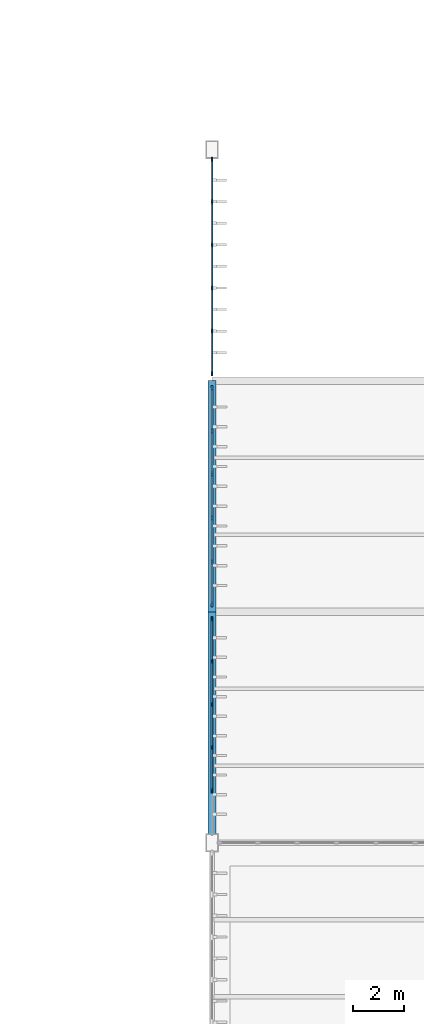
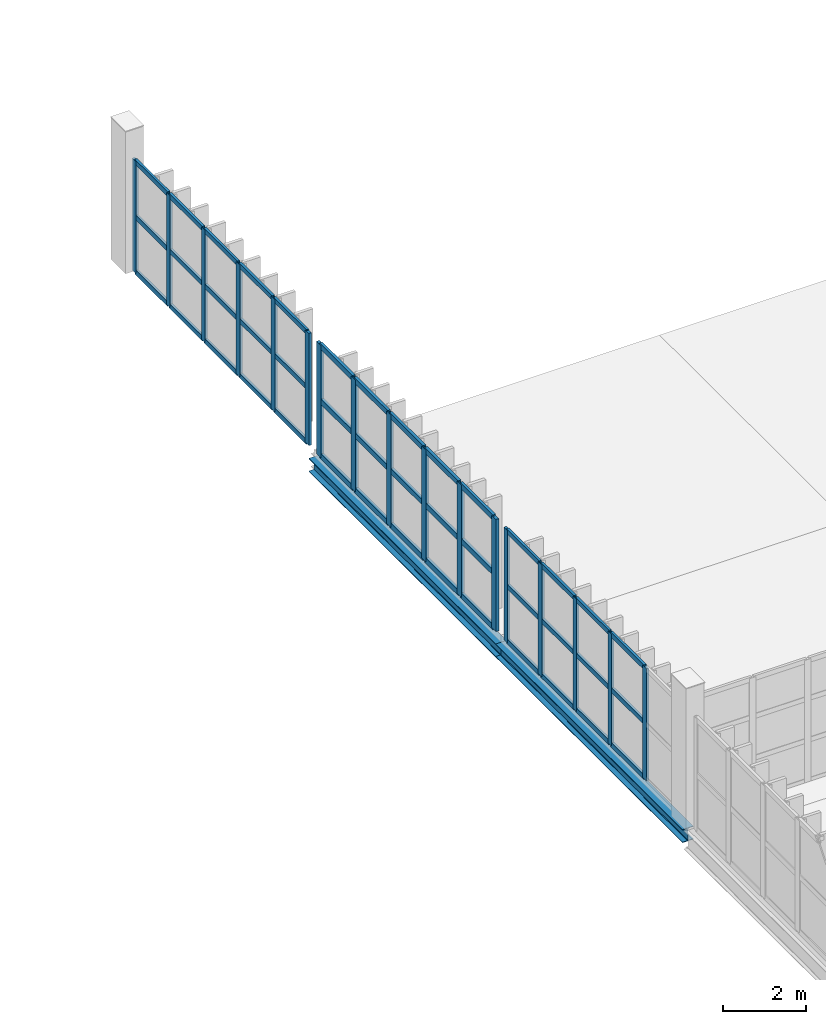
# One storey, part 29 of 82: 59 members, 2 beams, 3 elements without a shape of their own.
"""IFC4 building model written with IfcOpenShell, lengths in metres."""

from ifc_helpers import new_model, si_unit, direction, frame, origin, origin_2d, place, context, subcontext, project, spatial, rectangle, i_section, extrude, material, layer, layer_set, material_profile, profile_set, type_object, element, aggregate, save


model = new_model("IFC4")

# Units and contexts
model_context = context("Model", 3, precision=1e-05, world=origin(), true_north=direction((0.0, 1.0)))
body_context = subcontext(model_context, "Body", "Model", "MODEL_VIEW")
ifc_project = project(units=[si_unit("LENGTHUNIT", "METRE"), si_unit("AREAUNIT", "SQUARE_METRE"), si_unit("VOLUMEUNIT", "CUBIC_METRE"), si_unit("PLANEANGLEUNIT", "RADIAN"), si_unit("MASSUNIT", "GRAM", prefix="KILO")], contexts=[model_context])

# Site, building, storey
site_placement = place(None, origin())
site = spatial("IfcSite", under=ifc_project, at=site_placement, CompositionType="ELEMENT")
building_placement = place(site_placement, origin())
building = spatial("IfcBuilding", under=site, at=building_placement, Name="Zarnetskaya Central Station", CompositionType="ELEMENT")
storey_placement = place(building_placement, frame((0.0, 0.0, 10.199951171875)))
storey = spatial("IfcBuildingStorey", under=building, at=storey_placement, Name="L02", CompositionType="ELEMENT", Elevation=10.199951171875)

# Curtain wall, members
ifc_material_1 = material(Name="Low-E insulated glass", Category="glass")
ifc_layer = layer(ifc_material_1, 0.16796875, Name="Low-E insulated glass", Category="glass")
ifc_layer_set = layer_set([ifc_layer], Name="Low-E insulated glass")
curtain_wall_type = type_object("IfcCurtainWallType", Name="CW-SYS-18", PredefinedType="USERDEFINED", material=ifc_layer_set)
curtain_wall_1_placement = place(storey_placement, origin())
curtain_wall_1 = element("IfcCurtainWall", 1, at=curtain_wall_1_placement, inside=storey, type_object=curtain_wall_type, Name="Curtain wall CW-L02-093", ObjectType="CURTAIN WALL", PredefinedType="USERDEFINED")
ifc_material_2 = material(Name="Anodised aluminium", Category="aluminium")
ifc_material_profile_1 = material_profile(ifc_material_2, rectangle(XDim=0.070068359375, YDim=0.179931640625, at=origin_2d()), Name="ALU MULL 70x180")
ifc_profile_set_1 = profile_set([ifc_material_profile_1], Name="Anodised aluminium")
member_type_1 = type_object("IfcMemberType", Name="CW-MULL-180", PredefinedType="MULLION", material=ifc_profile_set_1)
member_1_placement = place(storey_placement, frame((124.800048828125, 39.9150390625, 0.0), z_axis=(0.0, 0.0, 1.0), x_axis=(1.0, 0.0, 0.0)))
member_1 = element("IfcMember", 2, at=member_1_placement, type_object=member_type_1, Name="CW-10 mullion 1", PredefinedType="MULLION", context=body_context, shape_type="SweptSolid", body=[
    extrude(rectangle(XDim=0.070068359375, YDim=0.179931640625, at=origin_2d()), origin(), (0.0, 0.0, 1.0), 3.300048828125),
])
member_2_placement = place(storey_placement, frame((124.800048828125, 38.27001953125, 0.0), z_axis=(0.0, 0.0, 1.0), x_axis=(1.0, 0.0, 0.0)))
member_2 = element("IfcMember", 3, at=member_2_placement, type_object=member_type_1, Name="CW-10 mullion 2", PredefinedType="MULLION", context=body_context, shape_type="SweptSolid", body=[
    extrude(rectangle(XDim=0.070068359375, YDim=0.179931640625, at=origin_2d()), origin(), (0.0, 0.0, 1.0), 3.300048828125),
])
member_3_placement = place(storey_placement, frame((124.800048828125, 36.590087890625, 0.0), z_axis=(0.0, 0.0, 1.0), x_axis=(1.0, 0.0, 0.0)))
member_3 = element("IfcMember", 4, at=member_3_placement, type_object=member_type_1, Name="CW-10 mullion 3", PredefinedType="MULLION", context=body_context, shape_type="SweptSolid", body=[
    extrude(rectangle(XDim=0.070068359375, YDim=0.179931640625, at=origin_2d()), origin(), (0.0, 0.0, 1.0), 3.300048828125),
])
member_4_placement = place(storey_placement, frame((124.800048828125, 34.909912109375, 0.0), z_axis=(0.0, 0.0, 1.0), x_axis=(1.0, 0.0, 0.0)))
member_4 = element("IfcMember", 5, at=member_4_placement, type_object=member_type_1, Name="CW-10 mullion 4", PredefinedType="MULLION", context=body_context, shape_type="SweptSolid", body=[
    extrude(rectangle(XDim=0.070068359375, YDim=0.179931640625, at=origin_2d()), origin(), (0.0, 0.0, 1.0), 3.300048828125),
])
member_5_placement = place(storey_placement, frame((124.800048828125, 33.22998046875, 0.0), z_axis=(0.0, 0.0, 1.0), x_axis=(1.0, 0.0, 0.0)))
member_5 = element("IfcMember", 6, at=member_5_placement, type_object=member_type_1, Name="CW-10 mullion 5", PredefinedType="MULLION", context=body_context, shape_type="SweptSolid", body=[
    extrude(rectangle(XDim=0.070068359375, YDim=0.179931640625, at=origin_2d()), origin(), (0.0, 0.0, 1.0), 3.300048828125),
])

curtain_wall_2_placement = place(storey_placement, origin())
curtain_wall_2 = element("IfcCurtainWall", 7, at=curtain_wall_2_placement, inside=storey, type_object=curtain_wall_type, Name="Curtain wall CW-L02-099", ObjectType="CURTAIN WALL", PredefinedType="USERDEFINED")
member_6_placement = place(storey_placement, frame((124.800048828125, 57.81494140625, 0.0), z_axis=(0.0, 0.0, 1.0), x_axis=(1.0, 0.0, 0.0)))
member_6 = element("IfcMember", 8, at=member_6_placement, type_object=member_type_1, Name="CW-10 mullion 1", PredefinedType="MULLION", context=body_context, shape_type="SweptSolid", body=[
    extrude(rectangle(XDim=0.070068359375, YDim=0.179931640625, at=origin_2d()), origin(), (0.0, 0.0, 1.0), 3.300048828125),
])
member_7_placement = place(storey_placement, frame((124.800048828125, 56.169921875, 0.0), z_axis=(0.0, 0.0, 1.0), x_axis=(1.0, 0.0, 0.0)))
member_7 = element("IfcMember", 9, at=member_7_placement, type_object=member_type_1, Name="CW-10 mullion 2", PredefinedType="MULLION", context=body_context, shape_type="SweptSolid", body=[
    extrude(rectangle(XDim=0.070068359375, YDim=0.179931640625, at=origin_2d()), origin(), (0.0, 0.0, 1.0), 3.300048828125),
])
member_8_placement = place(storey_placement, frame((124.800048828125, 54.489990234375, 0.0), z_axis=(0.0, 0.0, 1.0), x_axis=(1.0, 0.0, 0.0)))
member_8 = element("IfcMember", 10, at=member_8_placement, type_object=member_type_1, Name="CW-10 mullion 3", PredefinedType="MULLION", context=body_context, shape_type="SweptSolid", body=[
    extrude(rectangle(XDim=0.070068359375, YDim=0.179931640625, at=origin_2d()), origin(), (0.0, 0.0, 1.0), 3.300048828125),
])
member_9_placement = place(storey_placement, frame((124.800048828125, 52.81005859375, 0.0), z_axis=(0.0, 0.0, 1.0), x_axis=(1.0, 0.0, 0.0)))
member_9 = element("IfcMember", 11, at=member_9_placement, type_object=member_type_1, Name="CW-10 mullion 4", PredefinedType="MULLION", context=body_context, shape_type="SweptSolid", body=[
    extrude(rectangle(XDim=0.070068359375, YDim=0.179931640625, at=origin_2d()), origin(), (0.0, 0.0, 1.0), 3.300048828125),
])
member_10_placement = place(storey_placement, frame((124.800048828125, 51.1298828125, 0.0), z_axis=(0.0, 0.0, 1.0), x_axis=(1.0, 0.0, 0.0)))
member_10 = element("IfcMember", 12, at=member_10_placement, type_object=member_type_1, Name="CW-10 mullion 5", PredefinedType="MULLION", context=body_context, shape_type="SweptSolid", body=[
    extrude(rectangle(XDim=0.070068359375, YDim=0.179931640625, at=origin_2d()), origin(), (0.0, 0.0, 1.0), 3.300048828125),
])
member_11_placement = place(storey_placement, frame((124.800048828125, 49.485107421875, 0.0), z_axis=(0.0, 0.0, 1.0), x_axis=(1.0, 0.0, 0.0)))
member_11 = element("IfcMember", 13, at=member_11_placement, type_object=member_type_1, Name="CW-10 mullion 6", PredefinedType="MULLION", context=body_context, shape_type="SweptSolid", body=[
    extrude(rectangle(XDim=0.070068359375, YDim=0.179931640625, at=origin_2d()), origin(), (0.0, 0.0, 1.0), 3.300048828125),
])

curtain_wall_3_placement = place(storey_placement, origin())
curtain_wall_3 = element("IfcCurtainWall", 14, at=curtain_wall_3_placement, inside=storey, type_object=curtain_wall_type, Name="Curtain wall CW-L02-096", ObjectType="CURTAIN WALL", PredefinedType="USERDEFINED")
ifc_material_profile_2 = material_profile(ifc_material_2, rectangle(XDim=0.080078125, YDim=0.219970703125, at=origin_2d()), Name="ALU MULL 80x220")
ifc_profile_set_2 = profile_set([ifc_material_profile_2], Name="Anodised aluminium")
member_type_2 = type_object("IfcMemberType", Name="CW-MULL-220", PredefinedType="MULLION", material=ifc_profile_set_2)
member_12_placement = place(storey_placement, frame((124.800048828125, 48.909912109375, 0.0), z_axis=(0.0, 0.0, 1.0), x_axis=(1.0, 0.0, 0.0)))
member_12 = element("IfcMember", 15, at=member_12_placement, type_object=member_type_2, Name="CW-10 mullion 1", PredefinedType="MULLION", context=body_context, shape_type="SweptSolid", body=[
    extrude(rectangle(XDim=0.080078125, YDim=0.219970703125, at=origin_2d()), origin(), (0.0, 0.0, 1.0), 3.300048828125),
])
member_13_placement = place(storey_placement, frame((124.800048828125, 47.25, 0.0), z_axis=(0.0, 0.0, 1.0), x_axis=(1.0, 0.0, 0.0)))
member_13 = element("IfcMember", 16, at=member_13_placement, type_object=member_type_2, Name="CW-10 mullion 2", PredefinedType="MULLION", context=body_context, shape_type="SweptSolid", body=[
    extrude(rectangle(XDim=0.080078125, YDim=0.219970703125, at=origin_2d()), origin(), (0.0, 0.0, 1.0), 3.300048828125),
])
member_14_placement = place(storey_placement, frame((124.800048828125, 45.550048828125, 0.0), z_axis=(0.0, 0.0, 1.0), x_axis=(1.0, 0.0, 0.0)))
member_14 = element("IfcMember", 17, at=member_14_placement, type_object=member_type_2, Name="CW-10 mullion 3", PredefinedType="MULLION", context=body_context, shape_type="SweptSolid", body=[
    extrude(rectangle(XDim=0.080078125, YDim=0.219970703125, at=origin_2d()), origin(), (0.0, 0.0, 1.0), 3.300048828125),
])
member_15_placement = place(storey_placement, frame((124.800048828125, 43.85009765625, 0.0), z_axis=(0.0, 0.0, 1.0), x_axis=(1.0, 0.0, 0.0)))
member_15 = element("IfcMember", 18, at=member_15_placement, type_object=member_type_2, Name="CW-10 mullion 4", PredefinedType="MULLION", context=body_context, shape_type="SweptSolid", body=[
    extrude(rectangle(XDim=0.080078125, YDim=0.219970703125, at=origin_2d()), origin(), (0.0, 0.0, 1.0), 3.300048828125),
])
member_16_placement = place(storey_placement, frame((124.800048828125, 42.14990234375, 0.0), z_axis=(0.0, 0.0, 1.0), x_axis=(1.0, 0.0, 0.0)))
member_16 = element("IfcMember", 19, at=member_16_placement, type_object=member_type_2, Name="CW-10 mullion 5", PredefinedType="MULLION", context=body_context, shape_type="SweptSolid", body=[
    extrude(rectangle(XDim=0.080078125, YDim=0.219970703125, at=origin_2d()), origin(), (0.0, 0.0, 1.0), 3.300048828125),
])
member_17_placement = place(storey_placement, frame((124.800048828125, 40.489990234375, 0.0), z_axis=(0.0, 0.0, 1.0), x_axis=(1.0, 0.0, 0.0)))
member_17 = element("IfcMember", 20, at=member_17_placement, type_object=member_type_2, Name="CW-10 mullion 6", PredefinedType="MULLION", context=body_context, shape_type="SweptSolid", body=[
    extrude(rectangle(XDim=0.080078125, YDim=0.219970703125, at=origin_2d()), origin(), (0.0, 0.0, 1.0), 3.300048828125),
])

# Member
ifc_material_profile_3 = material_profile(ifc_material_2, rectangle(XDim=0.070068359375, YDim=0.139892578125, at=origin_2d()), Name="ALU TRAN 70x140")
ifc_profile_set_3 = profile_set([ifc_material_profile_3], Name="Anodised aluminium")
member_type_3 = type_object("IfcMemberType", Name="CW-TRAN-140", PredefinedType="USERDEFINED", material=ifc_profile_set_3)
member_18_placement = place(storey_placement, frame((124.800048828125, 39.8798828125, 0.03515625), z_axis=(0.0, -1.0, 0.0), x_axis=(1.0, 0.0, 0.0)))
member_18 = element("IfcMember", 21, at=member_18_placement, type_object=member_type_3, Name="CW-10 transom 1.1", ObjectType="TRANSOM", PredefinedType="USERDEFINED", context=body_context, shape_type="SweptSolid", body=[
    extrude(rectangle(XDim=0.070068359375, YDim=0.139892578125, at=origin_2d()), origin(), (0.0, 0.0, 1.0), 1.574951171875),
])

member_19_placement = place(storey_placement, frame((124.800048828125, 39.8798828125, 1.650146484375), z_axis=(0.0, -1.0, 0.0), x_axis=(1.0, 0.0, 0.0)))
member_19 = element("IfcMember", 22, at=member_19_placement, type_object=member_type_3, Name="CW-10 transom 1.2", ObjectType="TRANSOM", PredefinedType="USERDEFINED", context=body_context, shape_type="SweptSolid", body=[
    extrude(rectangle(XDim=0.070068359375, YDim=0.139892578125, at=origin_2d()), origin(), (0.0, 0.0, 1.0), 1.574951171875),
])

member_20_placement = place(storey_placement, frame((124.800048828125, 39.8798828125, 3.26513671875), z_axis=(0.0, -1.0, 0.0), x_axis=(1.0, 0.0, 0.0)))
member_20 = element("IfcMember", 23, at=member_20_placement, type_object=member_type_3, Name="CW-10 transom 1.3", ObjectType="TRANSOM", PredefinedType="USERDEFINED", context=body_context, shape_type="SweptSolid", body=[
    extrude(rectangle(XDim=0.070068359375, YDim=0.139892578125, at=origin_2d()), origin(), (0.0, 0.0, 1.0), 1.574951171875),
])

member_21_placement = place(storey_placement, frame((124.800048828125, 38.235107421875, 0.03515625), z_axis=(0.0, -1.0, 0.0), x_axis=(1.0, 0.0, 0.0)))
member_21 = element("IfcMember", 24, at=member_21_placement, type_object=member_type_3, Name="CW-10 transom 2.1", ObjectType="TRANSOM", PredefinedType="USERDEFINED", context=body_context, shape_type="SweptSolid", body=[
    extrude(rectangle(XDim=0.070068359375, YDim=0.139892578125, at=origin_2d()), origin(), (0.0, 0.0, 1.0), 1.610107421875),
])

member_22_placement = place(storey_placement, frame((124.800048828125, 38.235107421875, 1.650146484375), z_axis=(0.0, -1.0, 0.0), x_axis=(1.0, 0.0, 0.0)))
member_22 = element("IfcMember", 25, at=member_22_placement, type_object=member_type_3, Name="CW-10 transom 2.2", ObjectType="TRANSOM", PredefinedType="USERDEFINED", context=body_context, shape_type="SweptSolid", body=[
    extrude(rectangle(XDim=0.070068359375, YDim=0.139892578125, at=origin_2d()), origin(), (0.0, 0.0, 1.0), 1.610107421875),
])

member_23_placement = place(storey_placement, frame((124.800048828125, 38.235107421875, 3.26513671875), z_axis=(0.0, -1.0, 0.0), x_axis=(1.0, 0.0, 0.0)))
member_23 = element("IfcMember", 26, at=member_23_placement, type_object=member_type_3, Name="CW-10 transom 2.3", ObjectType="TRANSOM", PredefinedType="USERDEFINED", context=body_context, shape_type="SweptSolid", body=[
    extrude(rectangle(XDim=0.070068359375, YDim=0.139892578125, at=origin_2d()), origin(), (0.0, 0.0, 1.0), 1.610107421875),
])

member_24_placement = place(storey_placement, frame((124.800048828125, 36.554931640625, 0.03515625), z_axis=(0.0, -1.0, 0.0), x_axis=(1.0, 0.0, 0.0)))
member_24 = element("IfcMember", 27, at=member_24_placement, type_object=member_type_3, Name="CW-10 transom 3.1", ObjectType="TRANSOM", PredefinedType="USERDEFINED", context=body_context, shape_type="SweptSolid", body=[
    extrude(rectangle(XDim=0.070068359375, YDim=0.139892578125, at=origin_2d()), origin(), (0.0, 0.0, 1.0), 1.60986328125),
])

member_25_placement = place(storey_placement, frame((124.800048828125, 36.554931640625, 1.650146484375), z_axis=(0.0, -1.0, 0.0), x_axis=(1.0, 0.0, 0.0)))
member_25 = element("IfcMember", 28, at=member_25_placement, type_object=member_type_3, Name="CW-10 transom 3.2", ObjectType="TRANSOM", PredefinedType="USERDEFINED", context=body_context, shape_type="SweptSolid", body=[
    extrude(rectangle(XDim=0.070068359375, YDim=0.139892578125, at=origin_2d()), origin(), (0.0, 0.0, 1.0), 1.60986328125),
])

member_26_placement = place(storey_placement, frame((124.800048828125, 36.554931640625, 3.26513671875), z_axis=(0.0, -1.0, 0.0), x_axis=(1.0, 0.0, 0.0)))
member_26 = element("IfcMember", 29, at=member_26_placement, type_object=member_type_3, Name="CW-10 transom 3.3", ObjectType="TRANSOM", PredefinedType="USERDEFINED", context=body_context, shape_type="SweptSolid", body=[
    extrude(rectangle(XDim=0.070068359375, YDim=0.139892578125, at=origin_2d()), origin(), (0.0, 0.0, 1.0), 1.60986328125),
])

member_27_placement = place(storey_placement, frame((124.800048828125, 34.875, 0.03515625), z_axis=(0.0, -1.0, 0.0), x_axis=(1.0, 0.0, 0.0)))
member_27 = element("IfcMember", 30, at=member_27_placement, type_object=member_type_3, Name="CW-10 transom 4.1", ObjectType="TRANSOM", PredefinedType="USERDEFINED", context=body_context, shape_type="SweptSolid", body=[
    extrude(rectangle(XDim=0.070068359375, YDim=0.139892578125, at=origin_2d()), origin(), (0.0, 0.0, 1.0), 1.610107421875),
])

member_28_placement = place(storey_placement, frame((124.800048828125, 34.875, 1.650146484375), z_axis=(0.0, -1.0, 0.0), x_axis=(1.0, 0.0, 0.0)))
member_28 = element("IfcMember", 31, at=member_28_placement, type_object=member_type_3, Name="CW-10 transom 4.2", ObjectType="TRANSOM", PredefinedType="USERDEFINED", context=body_context, shape_type="SweptSolid", body=[
    extrude(rectangle(XDim=0.070068359375, YDim=0.139892578125, at=origin_2d()), origin(), (0.0, 0.0, 1.0), 1.610107421875),
])

member_29_placement = place(storey_placement, frame((124.800048828125, 34.875, 3.26513671875), z_axis=(0.0, -1.0, 0.0), x_axis=(1.0, 0.0, 0.0)))
member_29 = element("IfcMember", 32, at=member_29_placement, type_object=member_type_3, Name="CW-10 transom 4.3", ObjectType="TRANSOM", PredefinedType="USERDEFINED", context=body_context, shape_type="SweptSolid", body=[
    extrude(rectangle(XDim=0.070068359375, YDim=0.139892578125, at=origin_2d()), origin(), (0.0, 0.0, 1.0), 1.610107421875),
])

aggregate(curtain_wall_1, [member_1, member_2, member_3, member_4, member_5, member_18, member_19, member_20, member_21, member_22, member_23, member_24, member_25, member_26, member_27, member_28, member_29])

member_30_placement = place(storey_placement, frame((124.800048828125, 57.780029296875, 0.03515625), z_axis=(0.0, -1.0, 0.0), x_axis=(1.0, 0.0, 0.0)))
member_30 = element("IfcMember", 33, at=member_30_placement, type_object=member_type_3, Name="CW-10 transom 1.1", ObjectType="TRANSOM", PredefinedType="USERDEFINED", context=body_context, shape_type="SweptSolid", body=[
    extrude(rectangle(XDim=0.070068359375, YDim=0.139892578125, at=origin_2d()), origin(), (0.0, 0.0, 1.0), 1.574951171875),
])

member_31_placement = place(storey_placement, frame((124.800048828125, 57.780029296875, 1.650146484375), z_axis=(0.0, -1.0, 0.0), x_axis=(1.0, 0.0, 0.0)))
member_31 = element("IfcMember", 34, at=member_31_placement, type_object=member_type_3, Name="CW-10 transom 1.2", ObjectType="TRANSOM", PredefinedType="USERDEFINED", context=body_context, shape_type="SweptSolid", body=[
    extrude(rectangle(XDim=0.070068359375, YDim=0.139892578125, at=origin_2d()), origin(), (0.0, 0.0, 1.0), 1.574951171875),
])

member_32_placement = place(storey_placement, frame((124.800048828125, 57.780029296875, 3.26513671875), z_axis=(0.0, -1.0, 0.0), x_axis=(1.0, 0.0, 0.0)))
member_32 = element("IfcMember", 35, at=member_32_placement, type_object=member_type_3, Name="CW-10 transom 1.3", ObjectType="TRANSOM", PredefinedType="USERDEFINED", context=body_context, shape_type="SweptSolid", body=[
    extrude(rectangle(XDim=0.070068359375, YDim=0.139892578125, at=origin_2d()), origin(), (0.0, 0.0, 1.0), 1.574951171875),
])

member_33_placement = place(storey_placement, frame((124.800048828125, 56.135009765625, 0.03515625), z_axis=(0.0, -1.0, 0.0), x_axis=(1.0, 0.0, 0.0)))
member_33 = element("IfcMember", 36, at=member_33_placement, type_object=member_type_3, Name="CW-10 transom 2.1", ObjectType="TRANSOM", PredefinedType="USERDEFINED", context=body_context, shape_type="SweptSolid", body=[
    extrude(rectangle(XDim=0.070068359375, YDim=0.139892578125, at=origin_2d()), origin(), (0.0, 0.0, 1.0), 1.610107421875),
])

member_34_placement = place(storey_placement, frame((124.800048828125, 56.135009765625, 1.650146484375), z_axis=(0.0, -1.0, 0.0), x_axis=(1.0, 0.0, 0.0)))
member_34 = element("IfcMember", 37, at=member_34_placement, type_object=member_type_3, Name="CW-10 transom 2.2", ObjectType="TRANSOM", PredefinedType="USERDEFINED", context=body_context, shape_type="SweptSolid", body=[
    extrude(rectangle(XDim=0.070068359375, YDim=0.139892578125, at=origin_2d()), origin(), (0.0, 0.0, 1.0), 1.610107421875),
])

member_35_placement = place(storey_placement, frame((124.800048828125, 56.135009765625, 3.26513671875), z_axis=(0.0, -1.0, 0.0), x_axis=(1.0, 0.0, 0.0)))
member_35 = element("IfcMember", 38, at=member_35_placement, type_object=member_type_3, Name="CW-10 transom 2.3", ObjectType="TRANSOM", PredefinedType="USERDEFINED", context=body_context, shape_type="SweptSolid", body=[
    extrude(rectangle(XDim=0.070068359375, YDim=0.139892578125, at=origin_2d()), origin(), (0.0, 0.0, 1.0), 1.610107421875),
])

member_36_placement = place(storey_placement, frame((124.800048828125, 54.455078125, 0.03515625), z_axis=(0.0, -1.0, 0.0), x_axis=(1.0, 0.0, 0.0)))
member_36 = element("IfcMember", 39, at=member_36_placement, type_object=member_type_3, Name="CW-10 transom 3.1", ObjectType="TRANSOM", PredefinedType="USERDEFINED", context=body_context, shape_type="SweptSolid", body=[
    extrude(rectangle(XDim=0.070068359375, YDim=0.139892578125, at=origin_2d()), origin(), (0.0, 0.0, 1.0), 1.610107421875),
])

member_37_placement = place(storey_placement, frame((124.800048828125, 54.455078125, 1.650146484375), z_axis=(0.0, -1.0, 0.0), x_axis=(1.0, 0.0, 0.0)))
member_37 = element("IfcMember", 40, at=member_37_placement, type_object=member_type_3, Name="CW-10 transom 3.2", ObjectType="TRANSOM", PredefinedType="USERDEFINED", context=body_context, shape_type="SweptSolid", body=[
    extrude(rectangle(XDim=0.070068359375, YDim=0.139892578125, at=origin_2d()), origin(), (0.0, 0.0, 1.0), 1.610107421875),
])

member_38_placement = place(storey_placement, frame((124.800048828125, 54.455078125, 3.26513671875), z_axis=(0.0, -1.0, 0.0), x_axis=(1.0, 0.0, 0.0)))
member_38 = element("IfcMember", 41, at=member_38_placement, type_object=member_type_3, Name="CW-10 transom 3.3", ObjectType="TRANSOM", PredefinedType="USERDEFINED", context=body_context, shape_type="SweptSolid", body=[
    extrude(rectangle(XDim=0.070068359375, YDim=0.139892578125, at=origin_2d()), origin(), (0.0, 0.0, 1.0), 1.610107421875),
])

member_39_placement = place(storey_placement, frame((124.800048828125, 52.77490234375, 0.03515625), z_axis=(0.0, -1.0, 0.0), x_axis=(1.0, 0.0, 0.0)))
member_39 = element("IfcMember", 42, at=member_39_placement, type_object=member_type_3, Name="CW-10 transom 4.1", ObjectType="TRANSOM", PredefinedType="USERDEFINED", context=body_context, shape_type="SweptSolid", body=[
    extrude(rectangle(XDim=0.070068359375, YDim=0.139892578125, at=origin_2d()), origin(), (0.0, 0.0, 1.0), 1.60986328125),
])

member_40_placement = place(storey_placement, frame((124.800048828125, 52.77490234375, 1.650146484375), z_axis=(0.0, -1.0, 0.0), x_axis=(1.0, 0.0, 0.0)))
member_40 = element("IfcMember", 43, at=member_40_placement, type_object=member_type_3, Name="CW-10 transom 4.2", ObjectType="TRANSOM", PredefinedType="USERDEFINED", context=body_context, shape_type="SweptSolid", body=[
    extrude(rectangle(XDim=0.070068359375, YDim=0.139892578125, at=origin_2d()), origin(), (0.0, 0.0, 1.0), 1.60986328125),
])

member_41_placement = place(storey_placement, frame((124.800048828125, 52.77490234375, 3.26513671875), z_axis=(0.0, -1.0, 0.0), x_axis=(1.0, 0.0, 0.0)))
member_41 = element("IfcMember", 44, at=member_41_placement, type_object=member_type_3, Name="CW-10 transom 4.3", ObjectType="TRANSOM", PredefinedType="USERDEFINED", context=body_context, shape_type="SweptSolid", body=[
    extrude(rectangle(XDim=0.070068359375, YDim=0.139892578125, at=origin_2d()), origin(), (0.0, 0.0, 1.0), 1.60986328125),
])

member_42_placement = place(storey_placement, frame((124.800048828125, 51.094970703125, 0.03515625), z_axis=(0.0, -1.0, 0.0), x_axis=(1.0, 0.0, 0.0)))
member_42 = element("IfcMember", 45, at=member_42_placement, type_object=member_type_3, Name="CW-10 transom 5.1", ObjectType="TRANSOM", PredefinedType="USERDEFINED", context=body_context, shape_type="SweptSolid", body=[
    extrude(rectangle(XDim=0.070068359375, YDim=0.139892578125, at=origin_2d()), origin(), (0.0, 0.0, 1.0), 1.574951171875),
])

member_43_placement = place(storey_placement, frame((124.800048828125, 51.094970703125, 1.650146484375), z_axis=(0.0, -1.0, 0.0), x_axis=(1.0, 0.0, 0.0)))
member_43 = element("IfcMember", 46, at=member_43_placement, type_object=member_type_3, Name="CW-10 transom 5.2", ObjectType="TRANSOM", PredefinedType="USERDEFINED", context=body_context, shape_type="SweptSolid", body=[
    extrude(rectangle(XDim=0.070068359375, YDim=0.139892578125, at=origin_2d()), origin(), (0.0, 0.0, 1.0), 1.574951171875),
])

member_44_placement = place(storey_placement, frame((124.800048828125, 51.094970703125, 3.26513671875), z_axis=(0.0, -1.0, 0.0), x_axis=(1.0, 0.0, 0.0)))
member_44 = element("IfcMember", 47, at=member_44_placement, type_object=member_type_3, Name="CW-10 transom 5.3", ObjectType="TRANSOM", PredefinedType="USERDEFINED", context=body_context, shape_type="SweptSolid", body=[
    extrude(rectangle(XDim=0.070068359375, YDim=0.139892578125, at=origin_2d()), origin(), (0.0, 0.0, 1.0), 1.574951171875),
])

aggregate(curtain_wall_2, [member_6, member_7, member_8, member_9, member_10, member_11, member_30, member_31, member_32, member_33, member_34, member_35, member_36, member_37, member_38, member_39, member_40, member_41, member_42, member_43, member_44])

ifc_material_profile_4 = material_profile(ifc_material_2, rectangle(XDim=0.080078125, YDim=0.159912109375, at=origin_2d()), Name="ALU TRAN 80x160")
ifc_profile_set_4 = profile_set([ifc_material_profile_4], Name="Anodised aluminium")
member_type_4 = type_object("IfcMemberType", Name="CW-TRAN-160", PredefinedType="USERDEFINED", material=ifc_profile_set_4)
member_45_placement = place(storey_placement, frame((124.800048828125, 48.8701171875, 0.0400390625), z_axis=(0.0, -1.0, 0.0), x_axis=(1.0, 0.0, 0.0)))
member_45 = element("IfcMember", 48, at=member_45_placement, type_object=member_type_4, Name="CW-10 transom 1.1", ObjectType="TRANSOM", PredefinedType="USERDEFINED", context=body_context, shape_type="SweptSolid", body=[
    extrude(rectangle(XDim=0.080078125, YDim=0.159912109375, at=origin_2d()), origin(), (0.0, 0.0, 1.0), 1.580078125),
])

member_46_placement = place(storey_placement, frame((124.800048828125, 48.8701171875, 1.650146484375), z_axis=(0.0, -1.0, 0.0), x_axis=(1.0, 0.0, 0.0)))
member_46 = element("IfcMember", 49, at=member_46_placement, type_object=member_type_4, Name="CW-10 transom 1.2", ObjectType="TRANSOM", PredefinedType="USERDEFINED", context=body_context, shape_type="SweptSolid", body=[
    extrude(rectangle(XDim=0.080078125, YDim=0.159912109375, at=origin_2d()), origin(), (0.0, 0.0, 1.0), 1.580078125),
])

member_47_placement = place(storey_placement, frame((124.800048828125, 48.8701171875, 3.260009765625), z_axis=(0.0, -1.0, 0.0), x_axis=(1.0, 0.0, 0.0)))
member_47 = element("IfcMember", 50, at=member_47_placement, type_object=member_type_4, Name="CW-10 transom 1.3", ObjectType="TRANSOM", PredefinedType="USERDEFINED", context=body_context, shape_type="SweptSolid", body=[
    extrude(rectangle(XDim=0.080078125, YDim=0.159912109375, at=origin_2d()), origin(), (0.0, 0.0, 1.0), 1.580078125),
])

member_48_placement = place(storey_placement, frame((124.800048828125, 47.2099609375, 0.0400390625), z_axis=(0.0, -1.0, 0.0), x_axis=(1.0, 0.0, 0.0)))
member_48 = element("IfcMember", 51, at=member_48_placement, type_object=member_type_4, Name="CW-10 transom 2.1", ObjectType="TRANSOM", PredefinedType="USERDEFINED", context=body_context, shape_type="SweptSolid", body=[
    extrude(rectangle(XDim=0.080078125, YDim=0.159912109375, at=origin_2d()), origin(), (0.0, 0.0, 1.0), 1.619873046875),
])

member_49_placement = place(storey_placement, frame((124.800048828125, 47.2099609375, 1.650146484375), z_axis=(0.0, -1.0, 0.0), x_axis=(1.0, 0.0, 0.0)))
member_49 = element("IfcMember", 52, at=member_49_placement, type_object=member_type_4, Name="CW-10 transom 2.2", ObjectType="TRANSOM", PredefinedType="USERDEFINED", context=body_context, shape_type="SweptSolid", body=[
    extrude(rectangle(XDim=0.080078125, YDim=0.159912109375, at=origin_2d()), origin(), (0.0, 0.0, 1.0), 1.619873046875),
])

member_50_placement = place(storey_placement, frame((124.800048828125, 47.2099609375, 3.260009765625), z_axis=(0.0, -1.0, 0.0), x_axis=(1.0, 0.0, 0.0)))
member_50 = element("IfcMember", 53, at=member_50_placement, type_object=member_type_4, Name="CW-10 transom 2.3", ObjectType="TRANSOM", PredefinedType="USERDEFINED", context=body_context, shape_type="SweptSolid", body=[
    extrude(rectangle(XDim=0.080078125, YDim=0.159912109375, at=origin_2d()), origin(), (0.0, 0.0, 1.0), 1.619873046875),
])

member_51_placement = place(storey_placement, frame((124.800048828125, 45.510009765625, 0.0400390625), z_axis=(0.0, -1.0, 0.0), x_axis=(1.0, 0.0, 0.0)))
member_51 = element("IfcMember", 54, at=member_51_placement, type_object=member_type_4, Name="CW-10 transom 3.1", ObjectType="TRANSOM", PredefinedType="USERDEFINED", context=body_context, shape_type="SweptSolid", body=[
    extrude(rectangle(XDim=0.080078125, YDim=0.159912109375, at=origin_2d()), origin(), (0.0, 0.0, 1.0), 1.6201171875),
])

member_52_placement = place(storey_placement, frame((124.800048828125, 45.510009765625, 1.650146484375), z_axis=(0.0, -1.0, 0.0), x_axis=(1.0, 0.0, 0.0)))
member_52 = element("IfcMember", 55, at=member_52_placement, type_object=member_type_4, Name="CW-10 transom 3.2", ObjectType="TRANSOM", PredefinedType="USERDEFINED", context=body_context, shape_type="SweptSolid", body=[
    extrude(rectangle(XDim=0.080078125, YDim=0.159912109375, at=origin_2d()), origin(), (0.0, 0.0, 1.0), 1.6201171875),
])

member_53_placement = place(storey_placement, frame((124.800048828125, 45.510009765625, 3.260009765625), z_axis=(0.0, -1.0, 0.0), x_axis=(1.0, 0.0, 0.0)))
member_53 = element("IfcMember", 56, at=member_53_placement, type_object=member_type_4, Name="CW-10 transom 3.3", ObjectType="TRANSOM", PredefinedType="USERDEFINED", context=body_context, shape_type="SweptSolid", body=[
    extrude(rectangle(XDim=0.080078125, YDim=0.159912109375, at=origin_2d()), origin(), (0.0, 0.0, 1.0), 1.6201171875),
])

member_54_placement = place(storey_placement, frame((124.800048828125, 43.81005859375, 0.0400390625), z_axis=(0.0, -1.0, 0.0), x_axis=(1.0, 0.0, 0.0)))
member_54 = element("IfcMember", 57, at=member_54_placement, type_object=member_type_4, Name="CW-10 transom 4.1", ObjectType="TRANSOM", PredefinedType="USERDEFINED", context=body_context, shape_type="SweptSolid", body=[
    extrude(rectangle(XDim=0.080078125, YDim=0.159912109375, at=origin_2d()), origin(), (0.0, 0.0, 1.0), 1.6201171875),
])

member_55_placement = place(storey_placement, frame((124.800048828125, 43.81005859375, 1.650146484375), z_axis=(0.0, -1.0, 0.0), x_axis=(1.0, 0.0, 0.0)))
member_55 = element("IfcMember", 58, at=member_55_placement, type_object=member_type_4, Name="CW-10 transom 4.2", ObjectType="TRANSOM", PredefinedType="USERDEFINED", context=body_context, shape_type="SweptSolid", body=[
    extrude(rectangle(XDim=0.080078125, YDim=0.159912109375, at=origin_2d()), origin(), (0.0, 0.0, 1.0), 1.6201171875),
])

member_56_placement = place(storey_placement, frame((124.800048828125, 43.81005859375, 3.260009765625), z_axis=(0.0, -1.0, 0.0), x_axis=(1.0, 0.0, 0.0)))
member_56 = element("IfcMember", 59, at=member_56_placement, type_object=member_type_4, Name="CW-10 transom 4.3", ObjectType="TRANSOM", PredefinedType="USERDEFINED", context=body_context, shape_type="SweptSolid", body=[
    extrude(rectangle(XDim=0.080078125, YDim=0.159912109375, at=origin_2d()), origin(), (0.0, 0.0, 1.0), 1.6201171875),
])

member_57_placement = place(storey_placement, frame((124.800048828125, 42.110107421875, 0.0400390625), z_axis=(0.0, -1.0, 0.0), x_axis=(1.0, 0.0, 0.0)))
member_57 = element("IfcMember", 60, at=member_57_placement, type_object=member_type_4, Name="CW-10 transom 5.1", ObjectType="TRANSOM", PredefinedType="USERDEFINED", context=body_context, shape_type="SweptSolid", body=[
    extrude(rectangle(XDim=0.080078125, YDim=0.159912109375, at=origin_2d()), origin(), (0.0, 0.0, 1.0), 1.580078125),
])

member_58_placement = place(storey_placement, frame((124.800048828125, 42.110107421875, 1.650146484375), z_axis=(0.0, -1.0, 0.0), x_axis=(1.0, 0.0, 0.0)))
member_58 = element("IfcMember", 61, at=member_58_placement, type_object=member_type_4, Name="CW-10 transom 5.2", ObjectType="TRANSOM", PredefinedType="USERDEFINED", context=body_context, shape_type="SweptSolid", body=[
    extrude(rectangle(XDim=0.080078125, YDim=0.159912109375, at=origin_2d()), origin(), (0.0, 0.0, 1.0), 1.580078125),
])

member_59_placement = place(storey_placement, frame((124.800048828125, 42.110107421875, 3.260009765625), z_axis=(0.0, -1.0, 0.0), x_axis=(1.0, 0.0, 0.0)))
member_59 = element("IfcMember", 62, at=member_59_placement, type_object=member_type_4, Name="CW-10 transom 5.3", ObjectType="TRANSOM", PredefinedType="USERDEFINED", context=body_context, shape_type="SweptSolid", body=[
    extrude(rectangle(XDim=0.080078125, YDim=0.159912109375, at=origin_2d()), origin(), (0.0, 0.0, 1.0), 1.580078125),
])

aggregate(curtain_wall_3, [member_12, member_13, member_14, member_15, member_16, member_17, member_45, member_46, member_47, member_48, member_49, member_50, member_51, member_52, member_53, member_54, member_55, member_56, member_57, member_58, member_59])

# Beams
ifc_material_3 = material(Name="Steel S355", Category="steel")
ifc_material_profile_5 = material_profile(ifc_material_3, i_section(OverallWidth=0.300048828125, OverallDepth=0.389892578125, WebThickness=0.010986328125, FlangeThickness=0.01904296875, FilletRadius=0.027099609375, at=origin_2d()), Name="HEA 400")
ifc_profile_set_5 = profile_set([ifc_material_profile_5], Name="Steel S355")
beam_type = type_object("IfcBeamType", Name="GD-ROOF-400", PredefinedType="USERDEFINED", material=ifc_profile_set_5)
for number, where, z_axis, x_axis, name in (
    (63, (124.800048828125, 31.199951171875, -0.405029296875), (0.0, 1.0, 0.0), (-1.0, 0.0, 0.0), "Grid girder GY-L02-P-56"),
    (64, (124.800048828125, 40.199951171875, -0.405029296875), (0.0, 1.0, 0.0), (-1.0, 0.0, 0.0), "Grid girder GY-L02-P-67"),
):
    element("IfcBeam", number, at=place(storey_placement, frame(where, z_axis=z_axis, x_axis=x_axis)), inside=storey, type_object=beam_type, Name=name, ObjectType="GIRDER", PredefinedType="USERDEFINED", context=body_context, shape_type="SweptSolid", body=[
        extrude(i_section(OverallWidth=0.300048828125, OverallDepth=0.389892578125, WebThickness=0.010986328125, FlangeThickness=0.01904296875, FilletRadius=0.027099609375, at=origin_2d()), origin(), (0.0, 0.0, 1.0), 9.0),
    ])

save(model, "model.ifc")
